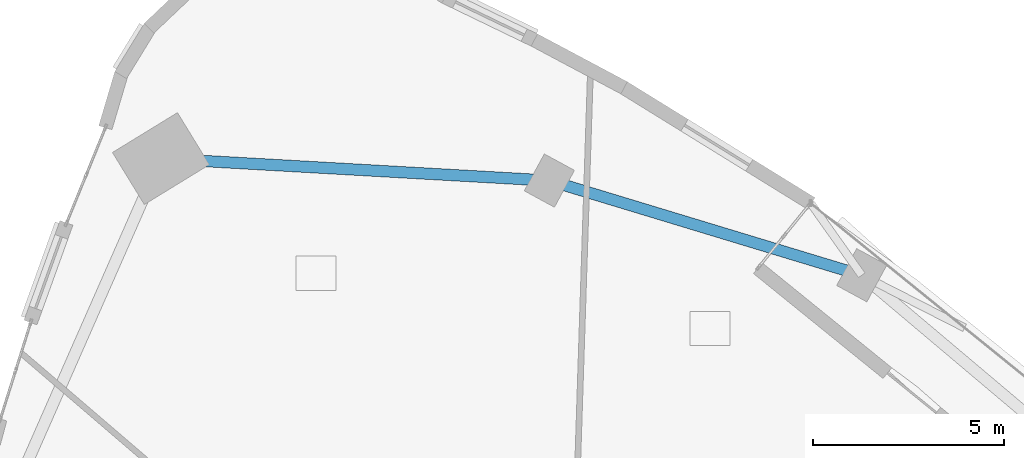
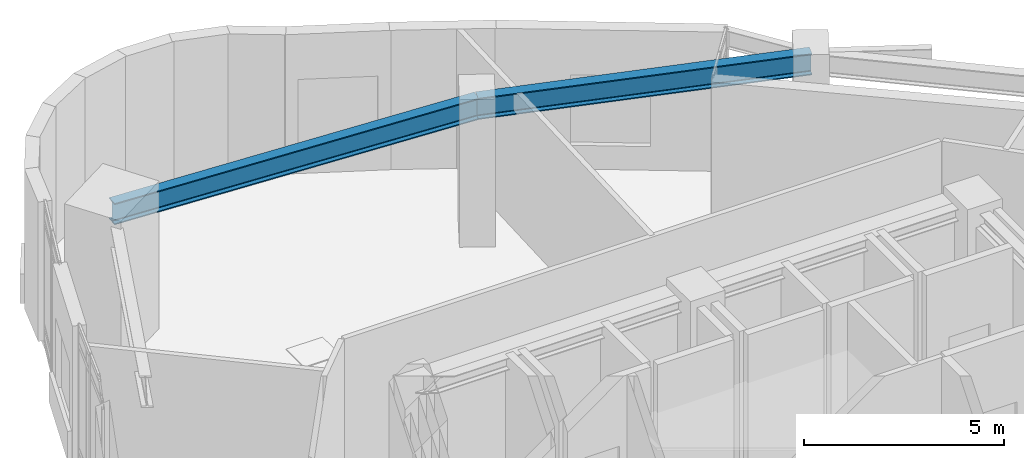
# One storey, part 8 of 16: 2 beams.
"""IFC4 building model written with IfcOpenShell, lengths in metres."""

from ifc_helpers import new_model, si_unit, direction, frame, origin, origin_2d, place, context, subcontext, project, spatial, i_section, extrude, material, material_profile, profile_set, type_object, element, save


model = new_model("IFC4")

# Units and contexts
model_context = context("Model", 3, precision=1e-05, world=origin(), true_north=direction((0.0, 1.0)))
body_context = subcontext(model_context, "Body", "Model", "MODEL_VIEW")
ifc_project = project(units=[si_unit("LENGTHUNIT", "METRE"), si_unit("AREAUNIT", "SQUARE_METRE"), si_unit("VOLUMEUNIT", "CUBIC_METRE"), si_unit("PLANEANGLEUNIT", "RADIAN"), si_unit("MASSUNIT", "GRAM", prefix="KILO")], contexts=[model_context])

# Site, building, storey
site_placement = place(None, origin())
site = spatial("IfcSite", under=ifc_project, at=site_placement, CompositionType="ELEMENT")
building_placement = place(site_placement, origin())
building = spatial("IfcBuilding", under=site, at=building_placement, Name="Ndelora Gate Hotel", CompositionType="ELEMENT")
storey_placement = place(building_placement, frame((0.0, 0.0, 92.75)))
storey = spatial("IfcBuildingStorey", under=building, at=storey_placement, Name="L22", CompositionType="ELEMENT", Elevation=92.75)

# Beams
ifc_material = material(Name="Steel S355", Category="steel")
ifc_material_profile = material_profile(ifc_material, i_section(OverallWidth=0.300048828125, OverallDepth=0.64990234375, WebThickness=0.01611328125, FlangeThickness=0.031005859375, FilletRadius=0.027099609375, at=origin_2d()), Name="HEB 650")
ifc_profile_set = profile_set([ifc_material_profile], Name="Steel S355")
beam_type = type_object("IfcBeamType", Name="BM-RING-650", PredefinedType="SPANDREL", material=ifc_profile_set)
beam_1_placement = place(storey_placement, frame((7.759033203125, 14.290283203125, 3.925048828125), z_axis=(-0.957030396662, 0.289987620192, 0.0), x_axis=(-0.289987620192, -0.957030396662, 0.0)))
element("IfcBeam", 1, at=beam_1_placement, inside=storey, type_object=beam_type, Name="L22 Perimeter Spandrel Girder 11", PredefinedType="SPANDREL", context=body_context, shape_type="SweptSolid", body=[
    extrude(i_section(OverallWidth=0.300048828125, OverallDepth=0.64990234375, WebThickness=0.01611328125, FlangeThickness=0.031005859375, FilletRadius=0.027099609375, at=origin_2d()), origin(), (0.0, 0.0, 1.0), 8.56640625),
])
beam_2_placement = place(storey_placement, frame((-0.439208984375, 16.7744140625, 3.925048828125), z_axis=(-0.998399808671, 0.056549288648, 0.0), x_axis=(-0.056549288648, -0.998399808671, 0.0)))
element("IfcBeam", 2, at=beam_2_placement, inside=storey, type_object=beam_type, Name="L22 Perimeter Spandrel Girder 12", PredefinedType="SPANDREL", context=body_context, shape_type="SweptSolid", body=[
    extrude(i_section(OverallWidth=0.300048828125, OverallDepth=0.64990234375, WebThickness=0.01611328125, FlangeThickness=0.031005859375, FilletRadius=0.027099609375, at=origin_2d()), origin(), (0.0, 0.0, 1.0), 10.21044921875),
])

save(model, "model.ifc")
